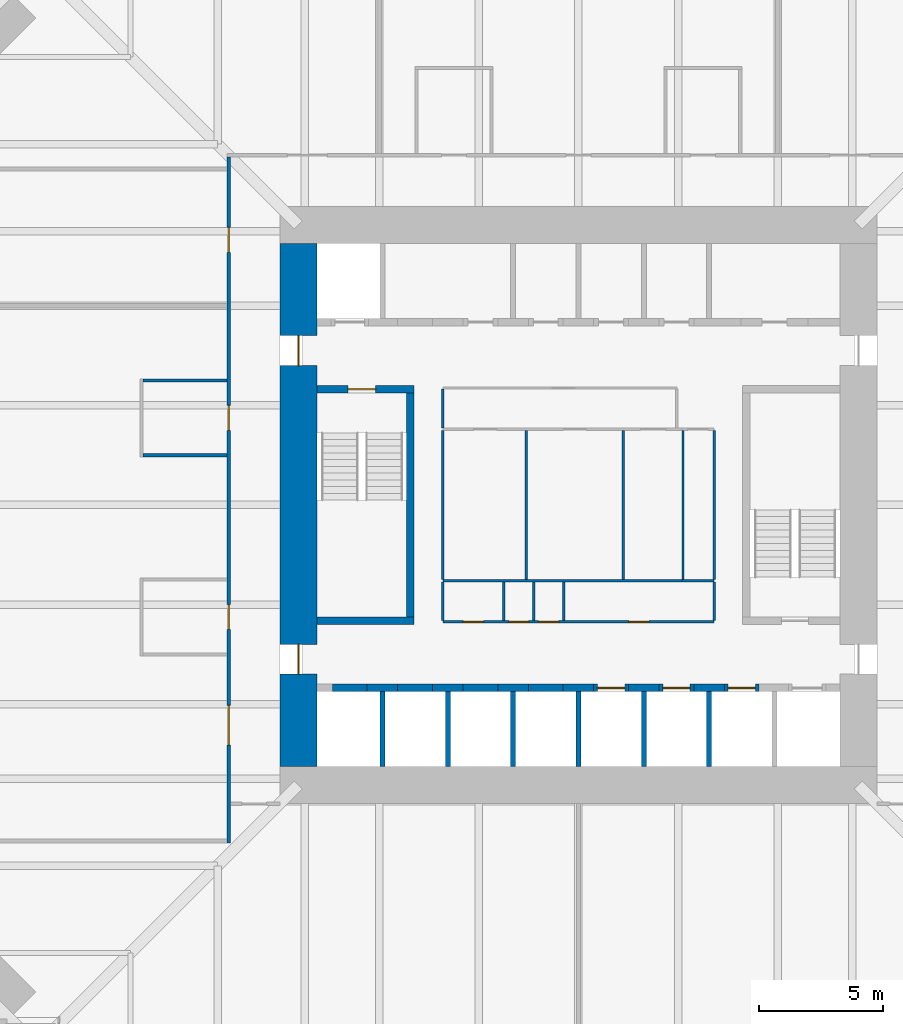
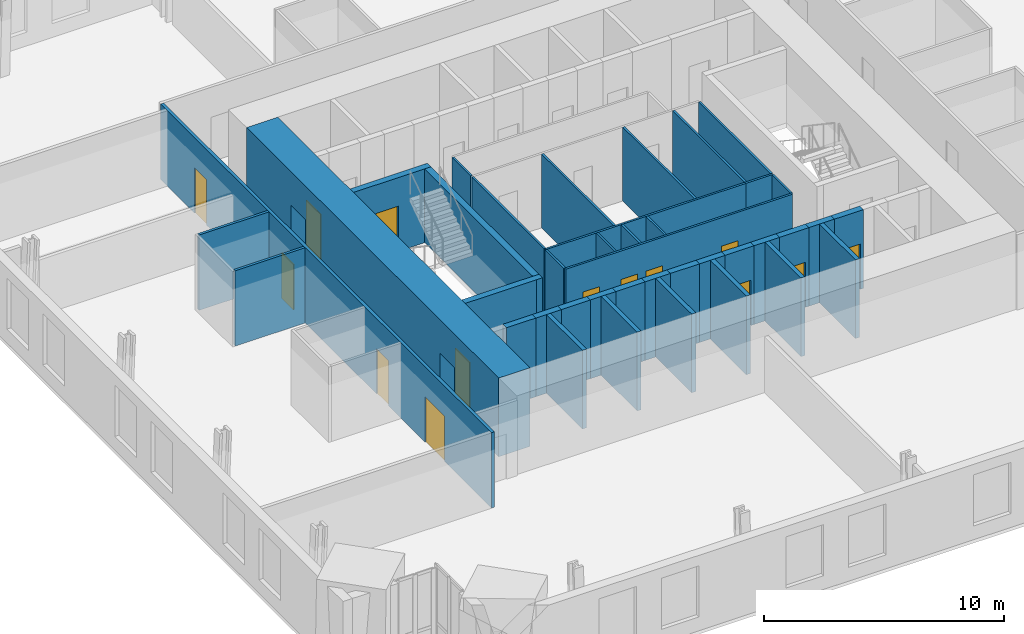
# One storey, part 14 of 18: 40 walls, 14 doors, 14 openings.
"""IFC4 building model written with IfcOpenShell, lengths in metres."""

from ifc_helpers import new_model, si_unit, direction, frame, frame_2d, origin, place, context, subcontext, project, spatial, rectangle, extrude, material, layer, layer_set, type_object, element, fill, save


model = new_model("IFC4")

# Units and contexts
model_context = context("Model", 3, precision=1e-05, world=origin(), true_north=direction((0.0, 1.0)))
body_context = subcontext(model_context, "Body", "Model", "MODEL_VIEW")
ifc_project = project(units=[si_unit("LENGTHUNIT", "METRE"), si_unit("AREAUNIT", "SQUARE_METRE"), si_unit("VOLUMEUNIT", "CUBIC_METRE"), si_unit("PLANEANGLEUNIT", "RADIAN"), si_unit("MASSUNIT", "GRAM", prefix="KILO")], contexts=[model_context])

# Site, building, storey
site_placement = place(None, origin())
site = spatial("IfcSite", under=ifc_project, at=site_placement, CompositionType="ELEMENT")
building_placement = place(site_placement, origin())
building = spatial("IfcBuilding", under=site, at=building_placement, Name="Peilmerk Tower", CompositionType="ELEMENT")
storey_placement = place(building_placement, frame((0.0, 0.0, 171.800048828125)))
storey = spatial("IfcBuildingStorey", under=building, at=storey_placement, Name="L36", CompositionType="ELEMENT", Elevation=171.800048828125)

# Wall, openings, doors
ifc_material_1 = material(Name="Calcium silicate block", Category="masonry")
ifc_layer_1 = layer(ifc_material_1, 0.14990234375)
ifc_layer_set_1 = layer_set([ifc_layer_1], Name="Calcium silicate block")
wall_type_1 = type_object("IfcWallType", Name="IW1 150 corridor partition, EI 60", PredefinedType="PARTITIONING", material=ifc_layer_set_1)
wall_1_placement = place(storey_placement, frame((-14.050048828125, 13.97509765625, 0.0), z_axis=(0.0, 0.0, 1.0), x_axis=(0.0, -1.0, 0.0)))
wall_1 = element("IfcWall", 1, at=wall_1_placement, inside=storey, type_object=wall_type_1, Name="Corridor wall W L36", PredefinedType="PARTITIONING", context=body_context, shape_type="SweptSolid", body=[
    extrude(rectangle(XDim=27.550048828125, YDim=0.14990234375, at=frame_2d((13.77490234375, 0.0))), origin(), (0.0, 0.0, 1.0), 3.829833984375),
])
opening_1_placement = place(wall_1_placement, frame((22.02490234375, 0.0, 0.0)))
opening_1 = element("IfcOpeningElement", 2, at=opening_1_placement, cuts=wall_1, Name="Opening D9", PredefinedType="OPENING", context=body_context, shape_type="SweptSolid", body=[
    extrude(rectangle(XDim=1.60009765625, YDim=2.300048828125, at=frame_2d((0.800048828125, 1.14990234375))), frame((0.0, 0.0849609375, 0.0), z_axis=(0.0, -1.0, 0.0), x_axis=(1.0, 0.0, 0.0)), (0.0, 0.0, 1.0), 0.169921875),
])
opening_2_placement = place(wall_1_placement, frame((2.824951171875, 0.0, 0.0)))
opening_2 = element("IfcOpeningElement", 3, at=opening_2_placement, cuts=wall_1, Name="Opening D1", PredefinedType="OPENING", context=body_context, shape_type="SweptSolid", body=[
    extrude(rectangle(XDim=1.0, YDim=2.300048828125, at=frame_2d((0.5, 1.14990234375))), frame((0.0, 0.0849609375, 0.0), z_axis=(0.0, -1.0, 0.0), x_axis=(1.0, 0.0, 0.0)), (0.0, 0.0, 1.0), 0.169921875),
])
opening_3_placement = place(wall_1_placement, frame((17.97509765625, 0.0, 0.0)))
opening_3 = element("IfcOpeningElement", 4, at=opening_3_placement, cuts=wall_1, Name="Opening D1", PredefinedType="OPENING", context=body_context, shape_type="SweptSolid", body=[
    extrude(rectangle(XDim=1.0, YDim=2.300048828125, at=frame_2d((0.5, 1.14990234375))), frame((0.0, 0.0849609375, 0.0), z_axis=(0.0, -1.0, 0.0), x_axis=(1.0, 0.0, 0.0)), (0.0, 0.0, 1.0), 0.169921875),
])
opening_4_placement = place(wall_1_placement, frame((9.97509765625, 0.0, 0.0)))
opening_4 = element("IfcOpeningElement", 5, at=opening_4_placement, cuts=wall_1, Name="Opening D1", PredefinedType="OPENING", context=body_context, shape_type="SweptSolid", body=[
    extrude(rectangle(XDim=1.0, YDim=2.300048828125, at=frame_2d((0.5, 1.14990234375))), frame((0.0, 0.0849609375, 0.0), z_axis=(0.0, -1.0, 0.0), x_axis=(1.0, 0.0, 0.0)), (0.0, 0.0, 1.0), 0.169921875),
])
ifc_material_2 = material(Name="Timber door in steel frame", Category="steel")
door_type_1 = type_object("IfcDoorType", Name="D1 1000x2300 room door, EI2 30", OperationType="SINGLE_SWING_LEFT", PredefinedType="DOOR", material=ifc_material_2)
door_1_placement = place(opening_2_placement, frame((1.0, 0.0, 0.0), z_axis=(0.0, 0.0, 1.0), x_axis=(-1.0, 0.0, 0.0)))
door_1 = element("IfcDoor", 6, at=door_1_placement, inside=storey, type_object=door_type_1, Name="Door Meeting room L36", OperationType="SINGLE_SWING_LEFT", OverallHeight=2.300048828125, OverallWidth=1.0, PredefinedType="DOOR", context=body_context, shape_type="SweptSolid", body=[
    extrude(rectangle(XDim=1.0, YDim=2.300048828125, at=frame_2d((0.5, 1.14990234375))), frame((0.0, 0.02490234375, 0.0), z_axis=(0.0, -1.0, 0.0), x_axis=(1.0, 0.0, 0.0)), (0.0, 0.0, 1.0), 0.050048828125),
])
fill(opening_2, door_1)
door_2_placement = place(opening_3_placement, frame((1.0, 0.0, 0.0), z_axis=(0.0, 0.0, 1.0), x_axis=(-1.0, 0.0, 0.0)))
door_2 = element("IfcDoor", 7, at=door_2_placement, inside=storey, type_object=door_type_1, Name="Door Focus room L36", OperationType="SINGLE_SWING_LEFT", OverallHeight=2.300048828125, OverallWidth=1.0, PredefinedType="DOOR", context=body_context, shape_type="SweptSolid", body=[
    extrude(rectangle(XDim=1.0, YDim=2.300048828125, at=frame_2d((0.5, 1.14990234375))), frame((0.0, 0.02490234375, 0.0), z_axis=(0.0, -1.0, 0.0), x_axis=(1.0, 0.0, 0.0)), (0.0, 0.0, 1.0), 0.050048828125),
])
fill(opening_3, door_2)
door_3_placement = place(opening_4_placement, frame((1.0, 0.0, 0.0), z_axis=(0.0, 0.0, 1.0), x_axis=(-1.0, 0.0, 0.0)))
door_3 = element("IfcDoor", 8, at=door_3_placement, inside=storey, type_object=door_type_1, Name="Door Focus room L36", OperationType="SINGLE_SWING_LEFT", OverallHeight=2.300048828125, OverallWidth=1.0, PredefinedType="DOOR", context=body_context, shape_type="SweptSolid", body=[
    extrude(rectangle(XDim=1.0, YDim=2.300048828125, at=frame_2d((0.5, 1.14990234375))), frame((0.0, 0.02490234375, 0.0), z_axis=(0.0, -1.0, 0.0), x_axis=(1.0, 0.0, 0.0)), (0.0, 0.0, 1.0), 0.050048828125),
])
fill(opening_4, door_3)
ifc_material_3 = material(Name="Glazed timber door in steel frame", Category="steel")
door_type_2 = type_object("IfcDoorType", Name="D9 1600x2300 glazed double door, EI2 30", OperationType="DOUBLE_DOOR_SINGLE_SWING", PredefinedType="DOOR", material=ifc_material_3)
door_4_placement = place(opening_1_placement, frame((1.60009765625, 0.0, 0.0), z_axis=(0.0, 0.0, 1.0), x_axis=(-1.0, 0.0, 0.0)))
door_4 = element("IfcDoor", 9, at=door_4_placement, inside=storey, type_object=door_type_2, Name="Door Open workspace L36", OperationType="DOUBLE_DOOR_SINGLE_SWING", OverallHeight=2.300048828125, OverallWidth=1.60009765625, PredefinedType="DOOR", context=body_context, shape_type="SweptSolid", body=[
    extrude(rectangle(XDim=1.60009765625, YDim=2.300048828125, at=frame_2d((0.800048828125, 1.14990234375))), frame((0.0, 0.02490234375, 0.0), z_axis=(0.0, -1.0, 0.0), x_axis=(1.0, 0.0, 0.0)), (0.0, 0.0, 1.0), 0.050048828125),
])
fill(opening_1, door_4)

# Wall
ifc_material_4 = material(Name="Concrete C35/45", Category="concrete")
ifc_layer_2 = layer(ifc_material_4, 0.300048828125)
ifc_layer_set_2 = layer_set([ifc_layer_2], Name="Concrete C35/45")
wall_type_2 = type_object("IfcWallType", Name="IW3 300 concrete stair enclosure wall, EI 120", PredefinedType="SOLIDWALL", material=ifc_layer_set_2)
wall_2_placement = place(storey_placement, frame((-6.75, -4.800048828125, 0.0), z_axis=(0.0, 0.0, 1.0), x_axis=(0.0, 1.0, 0.0)))
element("IfcWall", 10, at=wall_2_placement, inside=storey, type_object=wall_type_2, Name="Stair 1 enclosure L36", PredefinedType="SOLIDWALL", context=body_context, shape_type="SweptSolid", body=[
    extrude(rectangle(XDim=9.60009765625, YDim=0.300048828125, at=frame_2d((4.800048828125, 0.0))), origin(), (0.0, 0.0, 1.0), 3.75),
])

# Wall, opening, door
wall_3_placement = place(storey_placement, frame((-10.5, 4.64990234375, 0.0), z_axis=(0.0, 0.0, 1.0), x_axis=(1.0, 0.0, 0.0)))
wall_3 = element("IfcWall", 11, at=wall_3_placement, inside=storey, type_object=wall_type_2, Name="Stair 1 enclosure L36", PredefinedType="SOLIDWALL", context=body_context, shape_type="SweptSolid", body=[
    extrude(rectangle(XDim=3.89990234375, YDim=0.300048828125, at=frame_2d((1.949951171875, 0.0))), origin(), (0.0, 0.0, 1.0), 3.75),
])
opening_5_placement = place(wall_3_placement, frame((1.25, 0.0, 0.0)))
opening_5 = element("IfcOpeningElement", 12, at=opening_5_placement, cuts=wall_3, Name="Opening D4", PredefinedType="OPENING", context=body_context, shape_type="SweptSolid", body=[
    extrude(rectangle(XDim=1.10009765625, YDim=2.300048828125, at=frame_2d((0.550048828125, 1.14990234375))), frame((0.0, 0.159912109375, 0.0), z_axis=(0.0, -1.0, 0.0), x_axis=(1.0, 0.0, 0.0)), (0.0, 0.0, 1.0), 0.320068359375),
])
ifc_material_5 = material(Name="Steel door in steel frame", Category="steel")
door_type_3 = type_object("IfcDoorType", Name="D4 1100x2300 stair door, EI2 60", OperationType="SINGLE_SWING_RIGHT", PredefinedType="DOOR", material=ifc_material_5)
door_5_placement = place(opening_5_placement, frame((1.10009765625, 0.0, 0.0), z_axis=(0.0, 0.0, 1.0), x_axis=(-1.0, 0.0, 0.0)))
door_5 = element("IfcDoor", 13, at=door_5_placement, inside=storey, type_object=door_type_3, Name="Stair 1 door L36", OperationType="SINGLE_SWING_RIGHT", OverallHeight=2.300048828125, OverallWidth=1.10009765625, PredefinedType="DOOR", context=body_context, shape_type="SweptSolid", body=[
    extrude(rectangle(XDim=1.10009765625, YDim=2.300048828125, at=frame_2d((0.550048828125, 1.14990234375))), frame((0.0, 0.02490234375, 0.0), z_axis=(0.0, -1.0, 0.0), x_axis=(1.0, 0.0, 0.0)), (0.0, 0.0, 1.0), 0.050048828125),
])
fill(opening_5, door_5)

# Walls
wall_4_placement = place(storey_placement, frame((-6.60009765625, -4.64990234375, 0.0), z_axis=(0.0, 0.0, 1.0), x_axis=(-1.0, 0.0, 0.0)))
element("IfcWall", 14, at=wall_4_placement, inside=storey, type_object=wall_type_2, Name="Stair 1 enclosure L36", PredefinedType="SOLIDWALL", context=body_context, shape_type="SweptSolid", body=[
    extrude(rectangle(XDim=3.89990234375, YDim=0.300048828125, at=frame_2d((1.949951171875, 0.0))), origin(), (0.0, 0.0, 1.0), 3.75),
])
ifc_material_6 = material(Name="Plasterboard on steel studs", Category="steel")
ifc_layer_3 = layer(ifc_material_6, 0.10009765625)
ifc_layer_set_3 = layer_set([ifc_layer_3], Name="Plasterboard on steel studs")
wall_type_3 = type_object("IfcWallType", Name="IW4 100 WC partition", PredefinedType="PARTITIONING", material=ifc_layer_set_3)
wall_5_placement = place(storey_placement, frame((4.14990234375, -3.050048828125, 0.0), z_axis=(0.0, 0.0, 1.0), x_axis=(-1.0, 0.0, 0.0)))
element("IfcWall", 15, at=wall_5_placement, inside=storey, type_object=wall_type_3, Name="WC wall L36", PredefinedType="PARTITIONING", context=body_context, shape_type="SweptSolid", body=[
    extrude(rectangle(XDim=9.599853515625, YDim=0.10009765625, at=frame_2d((4.7998046875, 0.0))), origin(), (0.0, 0.0, 1.0), 3.75),
])
for number, where, z_axis, x_axis, name in (
    (16, (-5.449951171875, -3.0, 0.0), (0.0, 0.0, 1.0), (0.0, 1.0, 0.0), "WC wall L36"),
    (17, (-2.10009765625, -3.0, 0.0), (0.0, 0.0, 1.0), (0.0, 1.0, 0.0), "WC wall L36"),
    (18, (1.800048828125, -3.0, 0.0), (0.0, 0.0, 1.0), (0.0, 1.0, 0.0), "WC wall L36"),
):
    element("IfcWall", number, at=place(storey_placement, frame(where, z_axis=z_axis, x_axis=x_axis)), inside=storey, type_object=wall_type_3, Name=name, PredefinedType="PARTITIONING", context=body_context, shape_type="SweptSolid", body=[
        extrude(rectangle(XDim=6.0, YDim=0.10009765625, at=frame_2d((3.0, 0.0))), origin(), (0.0, 0.0, 1.0), 3.75),
    ])
ifc_material_7 = material(Name="Calcium silicate board on steel studs", Category="steel")
ifc_layer_4 = layer(ifc_material_7, 0.10009765625)
ifc_layer_set_4 = layer_set([ifc_layer_4], Name="Calcium silicate board on steel studs")
wall_type_4 = type_object("IfcWallType", Name="IW5 100 riser enclosure wall, EI 60", PredefinedType="PARTITIONING", material=ifc_layer_set_4)
wall_6_placement = place(storey_placement, frame((5.449951171875, -3.050048828125, 0.0), z_axis=(0.0, 0.0, 1.0), x_axis=(-1.0, 0.0, 0.0)))
element("IfcWall", 19, at=wall_6_placement, inside=storey, type_object=wall_type_4, Name="Riser wall L36", PredefinedType="PARTITIONING", context=body_context, shape_type="SweptSolid", body=[
    extrude(rectangle(XDim=1.300048828125, YDim=0.10009765625, at=frame_2d((0.64990234375, 0.0))), origin(), (0.0, 0.0, 1.0), 3.75),
])
for number, where, z_axis, x_axis, name in (
    (20, (5.449951171875, 3.0, 0.0), (0.0, 0.0, 1.0), (0.0, -1.0, 0.0), "Riser wall L36"),
    (21, (4.199951171875, -3.0, 0.0), (0.0, 0.0, 1.0), (0.0, 1.0, 0.0), "Riser wall L36"),
):
    element("IfcWall", number, at=place(storey_placement, frame(where, z_axis=z_axis, x_axis=x_axis)), inside=storey, type_object=wall_type_4, Name=name, PredefinedType="PARTITIONING", context=body_context, shape_type="SweptSolid", body=[
        extrude(rectangle(XDim=6.0, YDim=0.10009765625, at=frame_2d((3.0, 0.0))), origin(), (0.0, 0.0, 1.0), 3.75),
    ])

# Wall, openings, doors
wall_7_placement = place(storey_placement, frame((5.449951171875, -4.699951171875, 0.0), z_axis=(0.0, 0.0, 1.0), x_axis=(-1.0, 0.0, 0.0)))
wall_7 = element("IfcWall", 22, at=wall_7_placement, inside=storey, type_object=wall_type_4, Name="Riser wall L36", PredefinedType="PARTITIONING", context=body_context, shape_type="SweptSolid", body=[
    extrude(rectangle(XDim=10.89990234375, YDim=0.10009765625, at=frame_2d((5.449951171875, 0.0))), origin(), (0.0, 0.0, 1.0), 3.75),
])
opening_6_placement = place(wall_7_placement, frame((9.27490234375, 0.0, 0.0)))
opening_6 = element("IfcOpeningElement", 23, at=opening_6_placement, cuts=wall_7, Name="Opening D7", PredefinedType="OPENING", context=body_context, shape_type="SweptSolid", body=[
    extrude(rectangle(XDim=0.800048828125, YDim=2.300048828125, at=frame_2d((0.39990234375, 1.14990234375))), frame((0.0, 0.06005859375, 0.0), z_axis=(0.0, -1.0, 0.0), x_axis=(1.0, 0.0, 0.0)), (0.0, 0.0, 1.0), 0.1201171875),
])
opening_7_placement = place(wall_7_placement, frame((7.449951171875, 0.0, 0.0)))
opening_7 = element("IfcOpeningElement", 24, at=opening_7_placement, cuts=wall_7, Name="Opening D7", PredefinedType="OPENING", context=body_context, shape_type="SweptSolid", body=[
    extrude(rectangle(XDim=0.800048828125, YDim=2.300048828125, at=frame_2d((0.39990234375, 1.14990234375))), frame((0.0, 0.06005859375, 0.0), z_axis=(0.0, -1.0, 0.0), x_axis=(1.0, 0.0, 0.0)), (0.0, 0.0, 1.0), 0.1201171875),
])
opening_8_placement = place(wall_7_placement, frame((6.25, 0.0, 0.0)))
opening_8 = element("IfcOpeningElement", 25, at=opening_8_placement, cuts=wall_7, Name="Opening D7", PredefinedType="OPENING", context=body_context, shape_type="SweptSolid", body=[
    extrude(rectangle(XDim=0.800048828125, YDim=2.300048828125, at=frame_2d((0.39990234375, 1.14990234375))), frame((0.0, 0.06005859375, 0.0), z_axis=(0.0, -1.0, 0.0), x_axis=(1.0, 0.0, 0.0)), (0.0, 0.0, 1.0), 0.1201171875),
])
opening_9_placement = place(wall_7_placement, frame((2.625, 0.0, 0.0)))
opening_9 = element("IfcOpeningElement", 26, at=opening_9_placement, cuts=wall_7, Name="Opening D7", PredefinedType="OPENING", context=body_context, shape_type="SweptSolid", body=[
    extrude(rectangle(XDim=0.800048828125, YDim=2.300048828125, at=frame_2d((0.39990234375, 1.14990234375))), frame((0.0, 0.06005859375, 0.0), z_axis=(0.0, -1.0, 0.0), x_axis=(1.0, 0.0, 0.0)), (0.0, 0.0, 1.0), 0.1201171875),
])
door_type_4 = type_object("IfcDoorType", Name="D7 800x2300 riser access door, EI2 60", OperationType="SINGLE_SWING_RIGHT", PredefinedType="DOOR", material=ifc_material_5)
door_6_placement = place(opening_6_placement, frame((0.800048828125, 0.0, 0.0), z_axis=(0.0, 0.0, 1.0), x_axis=(-1.0, 0.0, 0.0)))
door_6 = element("IfcDoor", 27, at=door_6_placement, inside=storey, type_object=door_type_4, Name="Cleaner's cupboard door L36", OperationType="SINGLE_SWING_RIGHT", OverallHeight=2.300048828125, OverallWidth=0.800048828125, PredefinedType="DOOR", context=body_context, shape_type="SweptSolid", body=[
    extrude(rectangle(XDim=0.800048828125, YDim=2.300048828125, at=frame_2d((0.39990234375, 1.14990234375))), frame((0.0, 0.02490234375, 0.0), z_axis=(0.0, -1.0, 0.0), x_axis=(1.0, 0.0, 0.0)), (0.0, 0.0, 1.0), 0.050048828125),
])
fill(opening_6, door_6)
door_7_placement = place(opening_7_placement, frame((0.800048828125, 0.0, 0.0), z_axis=(0.0, 0.0, 1.0), x_axis=(-1.0, 0.0, 0.0)))
door_7 = element("IfcDoor", 28, at=door_7_placement, inside=storey, type_object=door_type_4, Name="Electrical riser door L36", OperationType="SINGLE_SWING_RIGHT", OverallHeight=2.300048828125, OverallWidth=0.800048828125, PredefinedType="DOOR", context=body_context, shape_type="SweptSolid", body=[
    extrude(rectangle(XDim=0.800048828125, YDim=2.300048828125, at=frame_2d((0.39990234375, 1.14990234375))), frame((0.0, 0.02490234375, 0.0), z_axis=(0.0, -1.0, 0.0), x_axis=(1.0, 0.0, 0.0)), (0.0, 0.0, 1.0), 0.050048828125),
])
fill(opening_7, door_7)
door_8_placement = place(opening_8_placement, frame((0.800048828125, 0.0, 0.0), z_axis=(0.0, 0.0, 1.0), x_axis=(-1.0, 0.0, 0.0)))
door_8 = element("IfcDoor", 29, at=door_8_placement, inside=storey, type_object=door_type_4, Name="Data riser door L36", OperationType="SINGLE_SWING_RIGHT", OverallHeight=2.300048828125, OverallWidth=0.800048828125, PredefinedType="DOOR", context=body_context, shape_type="SweptSolid", body=[
    extrude(rectangle(XDim=0.800048828125, YDim=2.300048828125, at=frame_2d((0.39990234375, 1.14990234375))), frame((0.0, 0.02490234375, 0.0), z_axis=(0.0, -1.0, 0.0), x_axis=(1.0, 0.0, 0.0)), (0.0, 0.0, 1.0), 0.050048828125),
])
fill(opening_8, door_8)
door_9_placement = place(opening_9_placement, frame((0.800048828125, 0.0, 0.0), z_axis=(0.0, 0.0, 1.0), x_axis=(-1.0, 0.0, 0.0)))
door_9 = element("IfcDoor", 30, at=door_9_placement, inside=storey, type_object=door_type_4, Name="Comms room door L36", OperationType="SINGLE_SWING_RIGHT", OverallHeight=2.300048828125, OverallWidth=0.800048828125, PredefinedType="DOOR", context=body_context, shape_type="SweptSolid", body=[
    extrude(rectangle(XDim=0.800048828125, YDim=2.300048828125, at=frame_2d((0.39990234375, 1.14990234375))), frame((0.0, 0.02490234375, 0.0), z_axis=(0.0, -1.0, 0.0), x_axis=(1.0, 0.0, 0.0)), (0.0, 0.0, 1.0), 0.050048828125),
])
fill(opening_9, door_9)

# Walls
for number, where, z_axis, x_axis, name in (
    (31, (-5.449951171875, -3.10009765625, 0.0), (0.0, 0.0, 1.0), (0.0, -1.0, 0.0), "Riser wall L36"),
    (32, (5.449951171875, -3.10009765625, 0.0), (0.0, 0.0, 1.0), (0.0, -1.0, 0.0), "Riser wall L36"),
    (33, (-3.0, -3.10009765625, 0.0), (0.0, 0.0, 1.0), (0.0, -1.0, 0.0), "Riser wall L36"),
    (34, (-1.800048828125, -3.10009765625, 0.0), (0.0, 0.0, 1.0), (0.0, -1.0, 0.0), "Riser wall L36"),
    (35, (-0.60009765625, -3.10009765625, 0.0), (0.0, 0.0, 1.0), (0.0, -1.0, 0.0), "Riser wall L36"),
):
    element("IfcWall", number, at=place(storey_placement, frame(where, z_axis=z_axis, x_axis=x_axis)), inside=storey, type_object=wall_type_4, Name=name, PredefinedType="PARTITIONING", context=body_context, shape_type="SweptSolid", body=[
        extrude(rectangle(XDim=1.5498046875, YDim=0.10009765625, at=frame_2d((0.77490234375, 0.0))), origin(), (0.0, 0.0, 1.0), 3.75),
    ])
ifc_material_8 = material(Name="Plasterboard on steel studs, double boarded with mineral wool", Category="steel")
ifc_layer_5 = layer(ifc_material_8, 0.125)
ifc_layer_set_5 = layer_set([ifc_layer_5], Name="Plasterboard on steel studs, double boarded with mineral wool")
wall_type_5 = type_object("IfcWallType", Name="IW7 125 acoustic partition, EI 30", PredefinedType="PARTITIONING", material=ifc_layer_set_5)
for number, where, z_axis, x_axis, name in (
    (36, (-14.125, 2.0, 0.0), (0.0, 0.0, 1.0), (-1.0, 0.0, 0.0), "Acoustic partition Focus room L36"),
    (37, (-14.125, 5.0, 0.0), (0.0, 0.0, 1.0), (-1.0, 0.0, 0.0), "Acoustic partition Focus room L36"),
):
    element("IfcWall", number, at=place(storey_placement, frame(where, z_axis=z_axis, x_axis=x_axis)), inside=storey, type_object=wall_type_5, Name=name, PredefinedType="PARTITIONING", context=body_context, shape_type="SweptSolid", body=[
        extrude(rectangle(XDim=3.362548828125, YDim=0.125, at=frame_2d((1.68115234375, 0.0))), origin(), (0.0, 0.0, 1.0), 3.829833984375),
    ])
ifc_material_9 = material(Name="Fire-resisting plasterboard on steel studs", Category="steel")
ifc_layer_6 = layer(ifc_material_9, 0.10009765625)
ifc_layer_set_6 = layer_set([ifc_layer_6], Name="Fire-resisting plasterboard on steel studs")
wall_type_6 = type_object("IfcWallType", Name="IW9 100 WC lobby wall, EI 30", PredefinedType="PARTITIONING", material=ifc_layer_set_6)
wall_8_placement = place(storey_placement, frame((-5.449951171875, 3.10009765625, 0.0), z_axis=(0.0, 0.0, 1.0), x_axis=(0.0, 1.0, 0.0)))
element("IfcWall", 38, at=wall_8_placement, inside=storey, type_object=wall_type_6, Name="WC lobby wall L36", PredefinedType="PARTITIONING", context=body_context, shape_type="SweptSolid", body=[
    extrude(rectangle(XDim=1.5498046875, YDim=0.10009765625, at=frame_2d((0.77490234375, 0.0))), origin(), (0.0, 0.0, 1.0), 3.75),
])
ifc_layer_7 = layer(ifc_material_1, 0.199951171875)
ifc_layer_set_7 = layer_set([ifc_layer_7], Name="Calcium silicate block")
wall_type_7 = type_object("IfcWallType", Name="SH1 200 shaft dividing wall, EI 120", PredefinedType="PARTITIONING", material=ifc_layer_set_7)
for number, where, z_axis, x_axis, name in (
    (39, (-7.875, -10.5, 0.0), (0.0, 0.0, 1.0), (0.0, 1.0, 0.0), "Shaft wall S C4 L36"),
    (40, (-5.25, -10.5, 0.0), (0.0, 0.0, 1.0), (0.0, 1.0, 0.0), "Shaft wall S C3 L36"),
    (41, (-2.625, -10.5, 0.0), (0.0, 0.0, 1.0), (0.0, 1.0, 0.0), "Shaft wall S C2 L36"),
    (42, (0.0, -10.5, 0.0), (0.0, 0.0, 1.0), (0.0, 1.0, 0.0), "Shaft wall S C1 L36"),
    (43, (2.625, -10.5, 0.0), (0.0, 0.0, 1.0), (0.0, 1.0, 0.0), "Shaft wall S B3 L36"),
    (44, (5.25, -10.5, 0.0), (0.0, 0.0, 1.0), (0.0, 1.0, 0.0), "Shaft wall S B2 L36"),
):
    element("IfcWall", number, at=place(storey_placement, frame(where, z_axis=z_axis, x_axis=x_axis)), inside=storey, type_object=wall_type_7, Name=name, PredefinedType="PARTITIONING", context=body_context, shape_type="SweptSolid", body=[
        extrude(rectangle(XDim=3.0, YDim=0.199951171875, at=frame_2d((1.5, 0.0))), origin(), (0.0, 0.0, 1.0), 4.0),
    ])
ifc_layer_8 = layer(ifc_material_1, 0.300048828125)
ifc_layer_set_8 = layer_set([ifc_layer_8], Name="Calcium silicate block")
wall_type_8 = type_object("IfcWallType", Name="SH2 300 lift landing door panel, EI 120", PredefinedType="PARTITIONING", material=ifc_layer_set_8)
for number, where, z_axis, x_axis, name in (
    (45, (-9.887451171875, -7.35009765625, 0.0), (0.0, 0.0, 1.0), (1.0, 0.0, 0.0), "Lift door panel S C4 L36"),
    (46, (-7.262451171875, -7.35009765625, 0.0), (0.0, 0.0, 1.0), (1.0, 0.0, 0.0), "Lift door panel S C3 L36"),
    (47, (-4.637451171875, -7.35009765625, 0.0), (0.0, 0.0, 1.0), (1.0, 0.0, 0.0), "Lift door panel S C2 L36"),
    (48, (-2.012451171875, -7.35009765625, 0.0), (0.0, 0.0, 1.0), (1.0, 0.0, 0.0), "Lift door panel S C1 L36"),
):
    element("IfcWall", number, at=place(storey_placement, frame(where, z_axis=z_axis, x_axis=x_axis)), inside=storey, type_object=wall_type_8, Name=name, PredefinedType="PARTITIONING", context=body_context, shape_type="SweptSolid", body=[
        extrude(rectangle(XDim=1.39990234375, YDim=0.300048828125, at=frame_2d((0.699951171875, 0.0))), origin(), (0.0, 0.0, 1.0), 4.0),
    ])

# Wall, opening, door
wall_9_placement = place(storey_placement, frame((0.612548828125, -7.35009765625, 0.0), z_axis=(0.0, 0.0, 1.0), x_axis=(1.0, 0.0, 0.0)))
wall_9 = element("IfcWall", 49, at=wall_9_placement, inside=storey, type_object=wall_type_8, Name="Lift door panel S B3 L36", PredefinedType="PARTITIONING", context=body_context, shape_type="SweptSolid", body=[
    extrude(rectangle(XDim=1.39990234375, YDim=0.300048828125, at=frame_2d((0.699951171875, 0.0))), origin(), (0.0, 0.0, 1.0), 4.0),
])
opening_10_placement = place(wall_9_placement, frame((0.14990234375, 0.0, 0.0)))
opening_10 = element("IfcOpeningElement", 50, at=opening_10_placement, cuts=wall_9, Name="Opening LD1", PredefinedType="OPENING", context=body_context, shape_type="SweptSolid", body=[
    extrude(rectangle(XDim=1.10009765625, YDim=2.300048828125, at=frame_2d((0.550048828125, 1.14990234375))), frame((0.0, 0.159912109375, 0.0), z_axis=(0.0, -1.0, 0.0), x_axis=(1.0, 0.0, 0.0)), (0.0, 0.0, 1.0), 0.320068359375),
])
ifc_material_10 = material(Name="Stainless steel landing door", Category="steel")
door_type_5 = type_object("IfcDoorType", Name="LD1 1100x2300 lift landing door, sliding, EI2 60", OperationType="SLIDING_TO_LEFT", PredefinedType="DOOR", material=ifc_material_10)
door_10_placement = place(opening_10_placement, origin())
door_10 = element("IfcDoor", 51, at=door_10_placement, inside=storey, type_object=door_type_5, Name="Lift landing door B3 L36", OperationType="SLIDING_TO_LEFT", OverallHeight=2.300048828125, OverallWidth=1.10009765625, PredefinedType="DOOR", context=body_context, shape_type="SweptSolid", body=[
    extrude(rectangle(XDim=1.10009765625, YDim=2.300048828125, at=frame_2d((0.550048828125, 1.14990234375))), frame((0.0, 0.02490234375, 0.0), z_axis=(0.0, -1.0, 0.0), x_axis=(1.0, 0.0, 0.0)), (0.0, 0.0, 1.0), 0.050048828125),
])
fill(opening_10, door_10)

wall_10_placement = place(storey_placement, frame((3.237548828125, -7.35009765625, 0.0), z_axis=(0.0, 0.0, 1.0), x_axis=(1.0, 0.0, 0.0)))
wall_10 = element("IfcWall", 52, at=wall_10_placement, inside=storey, type_object=wall_type_8, Name="Lift door panel S B2 L36", PredefinedType="PARTITIONING", context=body_context, shape_type="SweptSolid", body=[
    extrude(rectangle(XDim=1.39990234375, YDim=0.300048828125, at=frame_2d((0.699951171875, 0.0))), origin(), (0.0, 0.0, 1.0), 4.0),
])
opening_11_placement = place(wall_10_placement, frame((0.14990234375, 0.0, 0.0)))
opening_11 = element("IfcOpeningElement", 53, at=opening_11_placement, cuts=wall_10, Name="Opening LD1", PredefinedType="OPENING", context=body_context, shape_type="SweptSolid", body=[
    extrude(rectangle(XDim=1.10009765625, YDim=2.300048828125, at=frame_2d((0.550048828125, 1.14990234375))), frame((0.0, 0.159912109375, 0.0), z_axis=(0.0, -1.0, 0.0), x_axis=(1.0, 0.0, 0.0)), (0.0, 0.0, 1.0), 0.320068359375),
])
door_11_placement = place(opening_11_placement, origin())
door_11 = element("IfcDoor", 54, at=door_11_placement, inside=storey, type_object=door_type_5, Name="Lift landing door B2 L36", OperationType="SLIDING_TO_LEFT", OverallHeight=2.300048828125, OverallWidth=1.10009765625, PredefinedType="DOOR", context=body_context, shape_type="SweptSolid", body=[
    extrude(rectangle(XDim=1.10009765625, YDim=2.300048828125, at=frame_2d((0.550048828125, 1.14990234375))), frame((0.0, 0.02490234375, 0.0), z_axis=(0.0, -1.0, 0.0), x_axis=(1.0, 0.0, 0.0)), (0.0, 0.0, 1.0), 0.050048828125),
])
fill(opening_11, door_11)

wall_11_placement = place(storey_placement, frame((5.862548828125, -7.35009765625, 0.0), z_axis=(0.0, 0.0, 1.0), x_axis=(1.0, 0.0, 0.0)))
wall_11 = element("IfcWall", 55, at=wall_11_placement, inside=storey, type_object=wall_type_8, Name="Lift door panel S B1 L36", PredefinedType="PARTITIONING", context=body_context, shape_type="SweptSolid", body=[
    extrude(rectangle(XDim=1.39990234375, YDim=0.300048828125, at=frame_2d((0.699951171875, 0.0))), origin(), (0.0, 0.0, 1.0), 4.0),
])
opening_12_placement = place(wall_11_placement, frame((0.14990234375, 0.0, 0.0)))
opening_12 = element("IfcOpeningElement", 56, at=opening_12_placement, cuts=wall_11, Name="Opening LD1", PredefinedType="OPENING", context=body_context, shape_type="SweptSolid", body=[
    extrude(rectangle(XDim=1.10009765625, YDim=2.300048828125, at=frame_2d((0.550048828125, 1.14990234375))), frame((0.0, 0.159912109375, 0.0), z_axis=(0.0, -1.0, 0.0), x_axis=(1.0, 0.0, 0.0)), (0.0, 0.0, 1.0), 0.320068359375),
])
door_12_placement = place(opening_12_placement, origin())
door_12 = element("IfcDoor", 57, at=door_12_placement, inside=storey, type_object=door_type_5, Name="Lift landing door B1 L36", OperationType="SLIDING_TO_LEFT", OverallHeight=2.300048828125, OverallWidth=1.10009765625, PredefinedType="DOOR", context=body_context, shape_type="SweptSolid", body=[
    extrude(rectangle(XDim=1.10009765625, YDim=2.300048828125, at=frame_2d((0.550048828125, 1.14990234375))), frame((0.0, 0.02490234375, 0.0), z_axis=(0.0, -1.0, 0.0), x_axis=(1.0, 0.0, 0.0)), (0.0, 0.0, 1.0), 0.050048828125),
])
fill(opening_12, door_12)

# Wall, openings, doors
ifc_material_11 = material(Name="Concrete C55/67", Category="concrete")
ifc_layer_9 = layer(ifc_material_11, 1.5)
ifc_layer_set_9 = layer_set([ifc_layer_9], Name="Concrete C55/67")
wall_type_9 = type_object("IfcWallType", Name="SW1 1500 core wall", PredefinedType="SHEAR", material=ifc_layer_set_9)
wall_12_placement = place(storey_placement, frame((-11.25, -10.5, 0.0), z_axis=(0.0, 0.0, 1.0), x_axis=(0.0, 1.0, 0.0)))
wall_12 = element("IfcWall", 58, at=wall_12_placement, inside=storey, type_object=wall_type_9, Name="Core wall W L36", PredefinedType="SHEAR", context=body_context, shape_type="SweptSolid", body=[
    extrude(rectangle(XDim=21.0, YDim=1.5, at=frame_2d((10.5, 0.0))), origin(), (0.0, 0.0, 1.0), 4.0),
])
opening_13_placement = place(wall_12_placement, frame((16.10009765625, 0.0, 0.0)))
opening_13 = element("IfcOpeningElement", 59, at=opening_13_placement, cuts=wall_12, Name="Opening D3", PredefinedType="OPENING", context=body_context, shape_type="SweptSolid", body=[
    extrude(rectangle(XDim=1.199951171875, YDim=2.300048828125, at=frame_2d((0.60009765625, 1.14990234375))), frame((0.0, 0.760009765625, 0.0), z_axis=(0.0, -1.0, 0.0), x_axis=(1.0, 0.0, 0.0)), (0.0, 0.0, 1.0), 1.52001953125),
])
opening_14_placement = place(wall_12_placement, frame((3.699951171875, 0.0, 0.0)))
opening_14 = element("IfcOpeningElement", 60, at=opening_14_placement, cuts=wall_12, Name="Opening D3", PredefinedType="OPENING", context=body_context, shape_type="SweptSolid", body=[
    extrude(rectangle(XDim=1.199951171875, YDim=2.300048828125, at=frame_2d((0.60009765625, 1.14990234375))), frame((0.0, 0.760009765625, 0.0), z_axis=(0.0, -1.0, 0.0), x_axis=(1.0, 0.0, 0.0)), (0.0, 0.0, 1.0), 1.52001953125),
])
door_type_6 = type_object("IfcDoorType", Name="D3 1200x2300 core door, EI2 60", OperationType="SINGLE_SWING_LEFT", PredefinedType="DOOR", material=ifc_material_5)
door_13_placement = place(opening_13_placement, frame((1.199951171875, 0.0, 0.0), z_axis=(0.0, 0.0, 1.0), x_axis=(-1.0, 0.0, 0.0)))
door_13 = element("IfcDoor", 61, at=door_13_placement, inside=storey, type_object=door_type_6, Name="Core door L36", OperationType="SINGLE_SWING_LEFT", OverallHeight=2.300048828125, OverallWidth=1.199951171875, PredefinedType="DOOR", context=body_context, shape_type="SweptSolid", body=[
    extrude(rectangle(XDim=1.199951171875, YDim=2.300048828125, at=frame_2d((0.60009765625, 1.14990234375))), frame((0.0, 0.02490234375, 0.0), z_axis=(0.0, -1.0, 0.0), x_axis=(1.0, 0.0, 0.0)), (0.0, 0.0, 1.0), 0.050048828125),
])
fill(opening_13, door_13)
door_14_placement = place(opening_14_placement, frame((1.199951171875, 0.0, 0.0), z_axis=(0.0, 0.0, 1.0), x_axis=(-1.0, 0.0, 0.0)))
door_14 = element("IfcDoor", 62, at=door_14_placement, inside=storey, type_object=door_type_6, Name="Core door L36", OperationType="SINGLE_SWING_LEFT", OverallHeight=2.300048828125, OverallWidth=1.199951171875, PredefinedType="DOOR", context=body_context, shape_type="SweptSolid", body=[
    extrude(rectangle(XDim=1.199951171875, YDim=2.300048828125, at=frame_2d((0.60009765625, 1.14990234375))), frame((0.0, 0.02490234375, 0.0), z_axis=(0.0, -1.0, 0.0), x_axis=(1.0, 0.0, 0.0)), (0.0, 0.0, 1.0), 0.050048828125),
])
fill(opening_14, door_14)

# Walls
ifc_layer_10 = layer(ifc_material_11, 0.300048828125)
ifc_layer_set_10 = layer_set([ifc_layer_10], Name="Concrete C55/67")
wall_type_10 = type_object("IfcWallType", Name="SW2 300 lift bank pier", PredefinedType="SHEAR", material=ifc_layer_set_10)
for number, where, z_axis, x_axis, name in (
    (63, (-8.487548828125, -7.35009765625, 0.0), (0.0, 0.0, 1.0), (1.0, 0.0, 0.0), "Lift bank pier S L36"),
    (64, (-5.862548828125, -7.35009765625, 0.0), (0.0, 0.0, 1.0), (1.0, 0.0, 0.0), "Lift bank pier S L36"),
    (65, (-3.237548828125, -7.35009765625, 0.0), (0.0, 0.0, 1.0), (1.0, 0.0, 0.0), "Lift bank pier S L36"),
    (66, (-0.612548828125, -7.35009765625, 0.0), (0.0, 0.0, 1.0), (1.0, 0.0, 0.0), "Lift bank pier S L36"),
    (67, (2.012451171875, -7.35009765625, 0.0), (0.0, 0.0, 1.0), (1.0, 0.0, 0.0), "Lift bank pier S L36"),
    (68, (4.637451171875, -7.35009765625, 0.0), (0.0, 0.0, 1.0), (1.0, 0.0, 0.0), "Lift bank pier S L36"),
):
    element("IfcWall", number, at=place(storey_placement, frame(where, z_axis=z_axis, x_axis=x_axis)), inside=storey, type_object=wall_type_10, Name=name, PredefinedType="SHEAR", context=body_context, shape_type="SweptSolid", body=[
        extrude(rectangle(XDim=1.22509765625, YDim=0.300048828125, at=frame_2d((0.612548828125, 0.0))), origin(), (0.0, 0.0, 1.0), 4.0),
    ])

save(model, "model.ifc")
